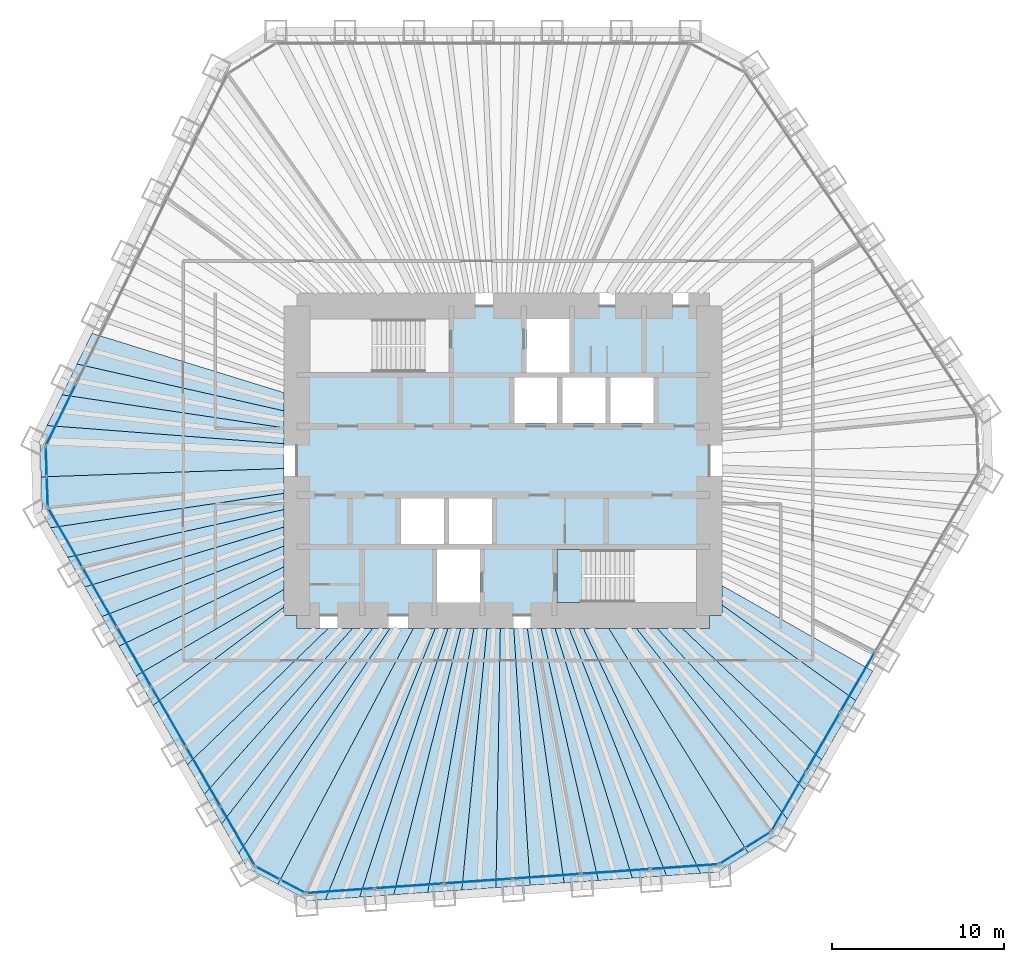
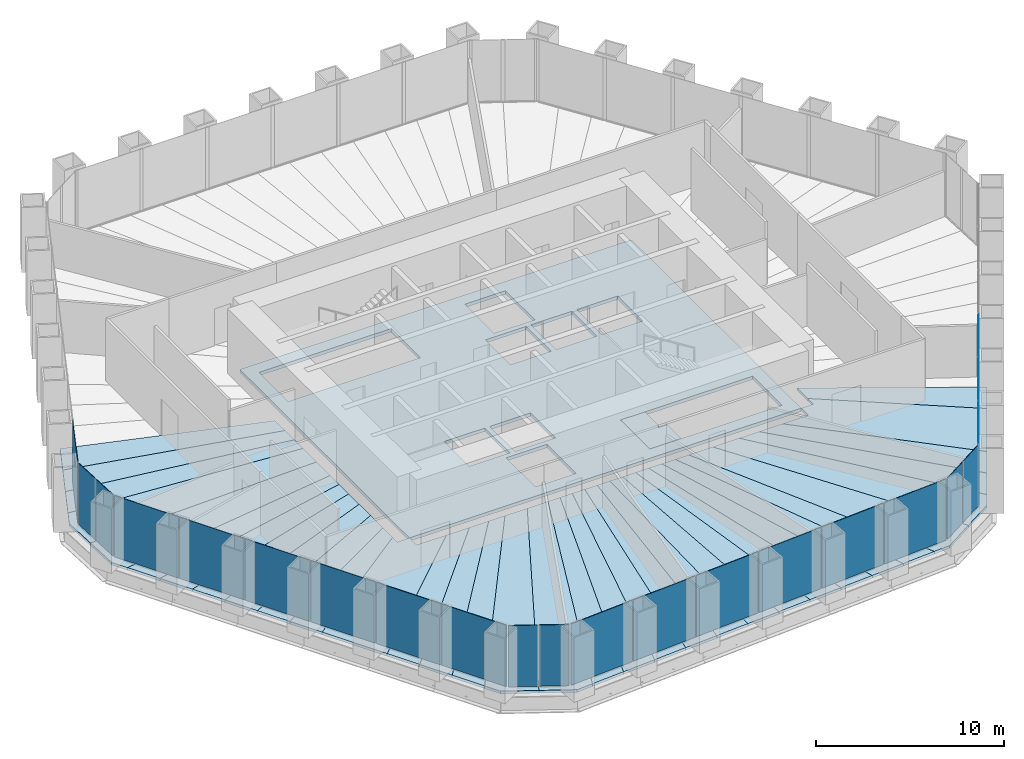
# One storey, part 8 of 13: 36 slabs, 22 plates, 8 elements without a shape of their own.
"""IFC4 building model written with IfcOpenShell, lengths in metres."""

from ifc_helpers import new_model, si_unit, direction, frame, origin, origin_2d, place, context, subcontext, project, spatial, polyline, rectangle, outline, extrude, material, layer, layer_set, type_object, element, aggregate, save


model = new_model("IFC4")

# Units and contexts
model_context = context("Model", 3, precision=1e-05, world=origin(), true_north=direction((0.0, 1.0)))
body_context = subcontext(model_context, "Body", "Model", "MODEL_VIEW")
ifc_project = project(units=[si_unit("LENGTHUNIT", "METRE"), si_unit("AREAUNIT", "SQUARE_METRE"), si_unit("VOLUMEUNIT", "CUBIC_METRE"), si_unit("PLANEANGLEUNIT", "RADIAN"), si_unit("MASSUNIT", "GRAM", prefix="KILO")], contexts=[model_context])

# Site, building, storey
site_placement = place(None, origin())
site = spatial("IfcSite", under=ifc_project, at=site_placement, CompositionType="ELEMENT")
building_placement = place(site_placement, origin())
building = spatial("IfcBuilding", under=site, at=building_placement, Name="Qingtian Harvest Tower", CompositionType="ELEMENT")
storey_placement = place(building_placement, frame((0.0, 0.0, 119.800048828125)))
storey = spatial("IfcBuildingStorey", under=building, at=storey_placement, Name="L24", CompositionType="ELEMENT", Elevation=119.800048828125)

# Slabs
ifc_material_1 = material(Name="Concrete fc' 35 MPa", Category="concrete")
ifc_layer_1 = layer(ifc_material_1, 0.169921875)
ifc_layer_set_1 = layer_set([ifc_layer_1], Name="Composite floor slab FS17 170")
slab_type_1 = type_object("IfcSlabType", Name="Composite floor slab FS17 170", PredefinedType="FLOOR", material=ifc_layer_set_1)
slab_1_placement = place(storey_placement, frame((0.0, 0.0, -0.170166015625)))
element("IfcSlab", 1, at=slab_1_placement, inside=storey, type_object=slab_type_1, Name="Floor slab L24 panel D01", PredefinedType="FLOOR", context=body_context, shape_type="SweptSolid", body=[
    extrude(outline(polyline([(-26.8935546875, -0.939208984375), (-12.75, -0.447998046875), (-12.75, -1.89599609375), (-26.333984375, -3.8984375), (-26.819580078125, -3.056884765625), (-26.8935546875, -0.939208984375)])), origin(), (0.0, 0.0, 1.0), 0.170166015625),
])
slab_2_placement = place(storey_placement, frame((0.0, 0.0, -0.170166015625)))
element("IfcSlab", 2, at=slab_2_placement, inside=storey, type_object=slab_type_1, Name="Floor slab L24 panel D02", PredefinedType="FLOOR", context=body_context, shape_type="SweptSolid", body=[
    extrude(outline(polyline([(-12.75, -2.838134765625), (-25.3388671875, -5.62158203125), (-26.333984375, -3.8984375), (-12.75, -1.89599609375), (-12.75, -2.838134765625)])), origin(), (0.0, 0.0, 1.0), 0.170166015625),
])
slab_3_placement = place(storey_placement, frame((0.0, 0.0, -0.170166015625)))
element("IfcSlab", 3, at=slab_3_placement, inside=storey, type_object=slab_type_1, Name="Floor slab L24 panel D03", PredefinedType="FLOOR", context=body_context, shape_type="SweptSolid", body=[
    extrude(outline(polyline([(-12.75, -3.857666015625), (-24.343994140625, -7.344970703125), (-25.3388671875, -5.62158203125), (-12.75, -2.838134765625), (-12.75, -3.857666015625)])), origin(), (0.0, 0.0, 1.0), 0.170166015625),
])
slab_4_placement = place(storey_placement, frame((0.0, 0.0, -0.170166015625)))
element("IfcSlab", 4, at=slab_4_placement, inside=storey, type_object=slab_type_1, Name="Floor slab L24 panel D04", PredefinedType="FLOOR", context=body_context, shape_type="SweptSolid", body=[
    extrude(outline(polyline([(-12.75, -4.9638671875), (-23.34912109375, -9.068115234375), (-24.343994140625, -7.344970703125), (-12.75, -3.857666015625), (-12.75, -4.9638671875)])), origin(), (0.0, 0.0, 1.0), 0.170166015625),
])
slab_5_placement = place(storey_placement, frame((0.0, 0.0, -0.170166015625)))
element("IfcSlab", 5, at=slab_5_placement, inside=storey, type_object=slab_type_1, Name="Floor slab L24 panel D05", PredefinedType="FLOOR", context=body_context, shape_type="SweptSolid", body=[
    extrude(outline(polyline([(-12.75, -6.1689453125), (-22.354248046875, -10.79150390625), (-23.34912109375, -9.068115234375), (-12.75, -4.9638671875), (-12.75, -6.1689453125)])), origin(), (0.0, 0.0, 1.0), 0.170166015625),
])
slab_6_placement = place(storey_placement, frame((0.0, 0.0, -0.170166015625)))
element("IfcSlab", 6, at=slab_6_placement, inside=storey, type_object=slab_type_1, Name="Floor slab L24 panel D06", PredefinedType="FLOOR", context=body_context, shape_type="SweptSolid", body=[
    extrude(outline(polyline([(-12.75, -7.486328125), (-21.359130859375, -12.5146484375), (-22.354248046875, -10.79150390625), (-12.75, -6.1689453125), (-12.75, -7.486328125)])), origin(), (0.0, 0.0, 1.0), 0.170166015625),
])
slab_7_placement = place(storey_placement, frame((0.0, 0.0, -0.170166015625)))
element("IfcSlab", 7, at=slab_7_placement, inside=storey, type_object=slab_type_1, Name="Floor slab L24 panel D07", PredefinedType="FLOOR", context=body_context, shape_type="SweptSolid", body=[
    extrude(outline(polyline([(-12.75, -8.512451171875), (-20.36865234375, -14.23046875), (-21.359130859375, -12.5146484375), (-12.75, -7.486328125), (-12.75, -8.512451171875)])), origin(), (0.0, 0.0, 1.0), 0.170166015625),
])
slab_8_placement = place(storey_placement, frame((0.0, 0.0, -0.170166015625)))
element("IfcSlab", 8, at=slab_8_placement, inside=storey, type_object=slab_type_1, Name="Floor slab L24 panel D09", PredefinedType="FLOOR", context=body_context, shape_type="SweptSolid", body=[
    extrude(outline(polyline([(-18.375, -17.683837890625), (-20.36865234375, -14.23046875), (-12.75, -8.512451171875), (-12.75, -9.0), (-12.0, -9.0), (-12.0, -9.75), (-10.168212890625, -9.75), (-18.375, -17.683837890625)])), origin(), (0.0, 0.0, 1.0), 0.170166015625),
])
slab_9_placement = place(storey_placement, frame((0.0, 0.0, -0.170166015625)))
element("IfcSlab", 9, at=slab_9_placement, inside=storey, type_object=slab_type_1, Name="Floor slab L24 panel D10", PredefinedType="FLOOR", context=body_context, shape_type="SweptSolid", body=[
    extrude(outline(polyline([(-8.759521484375, -9.75), (-17.3798828125, -19.4072265625), (-18.375, -17.683837890625), (-10.168212890625, -9.75), (-8.759521484375, -9.75)])), origin(), (0.0, 0.0, 1.0), 0.170166015625),
])
slab_10_placement = place(storey_placement, frame((0.0, 0.0, -0.170166015625)))
element("IfcSlab", 10, at=slab_10_placement, inside=storey, type_object=slab_type_1, Name="Floor slab L24 panel D11", PredefinedType="FLOOR", context=body_context, shape_type="SweptSolid", body=[
    extrude(outline(polyline([(-7.58203125, -9.75), (-16.385009765625, -21.13037109375), (-17.3798828125, -19.4072265625), (-8.759521484375, -9.75), (-7.58203125, -9.75)])), origin(), (0.0, 0.0, 1.0), 0.170166015625),
])
slab_11_placement = place(storey_placement, frame((0.0, 0.0, -0.170166015625)))
element("IfcSlab", 11, at=slab_11_placement, inside=storey, type_object=slab_type_1, Name="Floor slab L24 panel D12", PredefinedType="FLOOR", context=body_context, shape_type="SweptSolid", body=[
    extrude(outline(polyline([(-6.5830078125, -9.75), (-15.389892578125, -22.853759765625), (-16.385009765625, -21.13037109375), (-7.58203125, -9.75), (-6.5830078125, -9.75)])), origin(), (0.0, 0.0, 1.0), 0.170166015625),
])
slab_12_placement = place(storey_placement, frame((0.0, 0.0, -0.170166015625)))
element("IfcSlab", 12, at=slab_12_placement, inside=storey, type_object=slab_type_1, Name="Floor slab L24 panel D13", PredefinedType="FLOOR", context=body_context, shape_type="SweptSolid", body=[
    extrude(outline(polyline([(-6.5830078125, -9.75), (-5.21875, -9.75), (-13.107421875, -24.650634765625), (-14.904052734375, -23.6953125), (-15.389892578125, -22.853759765625), (-6.5830078125, -9.75)])), origin(), (0.0, 0.0, 1.0), 0.170166015625),
])
slab_13_placement = place(storey_placement, frame((0.0, 0.0, -0.170166015625)))
element("IfcSlab", 13, at=slab_13_placement, inside=storey, type_object=slab_type_1, Name="Floor slab L24 panel D14", PredefinedType="FLOOR", context=body_context, shape_type="SweptSolid", body=[
    extrude(outline(polyline([(-5.21875, -9.75), (-3.947021484375, -9.75), (-10.3408203125, -25.53857421875), (-11.31005859375, -25.606201171875), (-13.107421875, -24.650634765625), (-5.21875, -9.75)])), origin(), (0.0, 0.0, 1.0), 0.170166015625),
])
slab_14_placement = place(storey_placement, frame((0.0, 0.0, -0.170166015625)))
element("IfcSlab", 14, at=slab_14_placement, inside=storey, type_object=slab_type_1, Name="Floor slab L24 panel D15", PredefinedType="FLOOR", context=body_context, shape_type="SweptSolid", body=[
    extrude(outline(polyline([(-3.20654296875, -9.75), (-8.35595703125, -25.399658203125), (-10.3408203125, -25.53857421875), (-3.947021484375, -9.75), (-3.20654296875, -9.75)])), origin(), (0.0, 0.0, 1.0), 0.170166015625),
])
slab_15_placement = place(storey_placement, frame((0.0, 0.0, -0.170166015625)))
element("IfcSlab", 15, at=slab_15_placement, inside=storey, type_object=slab_type_1, Name="Floor slab L24 panel D16", PredefinedType="FLOOR", context=body_context, shape_type="SweptSolid", body=[
    extrude(outline(polyline([(-2.4580078125, -9.75), (-6.370849609375, -25.260986328125), (-8.35595703125, -25.399658203125), (-3.20654296875, -9.75), (-2.4580078125, -9.75)])), origin(), (0.0, 0.0, 1.0), 0.170166015625),
])
slab_16_placement = place(storey_placement, frame((0.0, 0.0, -0.170166015625)))
element("IfcSlab", 16, at=slab_16_placement, inside=storey, type_object=slab_type_1, Name="Floor slab L24 panel D17", PredefinedType="FLOOR", context=body_context, shape_type="SweptSolid", body=[
    extrude(outline(polyline([(-1.701171875, -9.75), (-4.385986328125, -25.1220703125), (-6.370849609375, -25.260986328125), (-2.4580078125, -9.75), (-1.701171875, -9.75)])), origin(), (0.0, 0.0, 1.0), 0.170166015625),
])
slab_17_placement = place(storey_placement, frame((0.0, 0.0, -0.170166015625)))
element("IfcSlab", 17, at=slab_17_placement, inside=storey, type_object=slab_type_1, Name="Floor slab L24 panel D18", PredefinedType="FLOOR", context=body_context, shape_type="SweptSolid", body=[
    extrude(outline(polyline([(-0.93603515625, -9.75), (-2.40087890625, -24.9833984375), (-4.385986328125, -25.1220703125), (-1.701171875, -9.75), (-0.93603515625, -9.75)])), origin(), (0.0, 0.0, 1.0), 0.170166015625),
])
slab_18_placement = place(storey_placement, frame((0.0, 0.0, -0.170166015625)))
element("IfcSlab", 18, at=slab_18_placement, inside=storey, type_object=slab_type_1, Name="Floor slab L24 panel D19", PredefinedType="FLOOR", context=body_context, shape_type="SweptSolid", body=[
    extrude(outline(polyline([(-0.162109375, -9.75), (-0.416015625, -24.844482421875), (-2.40087890625, -24.9833984375), (-0.93603515625, -9.75), (-0.162109375, -9.75)])), origin(), (0.0, 0.0, 1.0), 0.170166015625),
])
slab_19_placement = place(storey_placement, frame((0.0, 0.0, -0.170166015625)))
element("IfcSlab", 19, at=slab_19_placement, inside=storey, type_object=slab_type_1, Name="Floor slab L24 panel D20", PredefinedType="FLOOR", context=body_context, shape_type="SweptSolid", body=[
    extrude(outline(polyline([(0.620361328125, -9.75), (1.569091796875, -24.705810546875), (-0.416015625, -24.844482421875), (-0.162109375, -9.75), (0.620361328125, -9.75)])), origin(), (0.0, 0.0, 1.0), 0.170166015625),
])
slab_20_placement = place(storey_placement, frame((0.0, 0.0, -0.170166015625)))
element("IfcSlab", 20, at=slab_20_placement, inside=storey, type_object=slab_type_1, Name="Floor slab L24 panel D21", PredefinedType="FLOOR", context=body_context, shape_type="SweptSolid", body=[
    extrude(outline(polyline([(1.41162109375, -9.75), (3.553955078125, -24.56689453125), (1.569091796875, -24.705810546875), (0.620361328125, -9.75), (1.41162109375, -9.75)])), origin(), (0.0, 0.0, 1.0), 0.170166015625),
])
slab_21_placement = place(storey_placement, frame((0.0, 0.0, -0.170166015625)))
element("IfcSlab", 21, at=slab_21_placement, inside=storey, type_object=slab_type_1, Name="Floor slab L24 panel D22", PredefinedType="FLOOR", context=body_context, shape_type="SweptSolid", body=[
    extrude(outline(polyline([(2.2119140625, -9.75), (5.5390625, -24.42822265625), (3.553955078125, -24.56689453125), (1.41162109375, -9.75), (2.2119140625, -9.75)])), origin(), (0.0, 0.0, 1.0), 0.170166015625),
])
slab_22_placement = place(storey_placement, frame((0.0, 0.0, -0.170166015625)))
element("IfcSlab", 22, at=slab_22_placement, inside=storey, type_object=slab_type_1, Name="Floor slab L24 panel D23", PredefinedType="FLOOR", context=body_context, shape_type="SweptSolid", body=[
    extrude(outline(polyline([(3.021484375, -9.75), (7.524169921875, -24.289306640625), (5.5390625, -24.42822265625), (2.2119140625, -9.75), (3.021484375, -9.75)])), origin(), (0.0, 0.0, 1.0), 0.170166015625),
])
slab_23_placement = place(storey_placement, frame((0.0, 0.0, -0.170166015625)))
element("IfcSlab", 23, at=slab_23_placement, inside=storey, type_object=slab_type_1, Name="Floor slab L24 panel D24", PredefinedType="FLOOR", context=body_context, shape_type="SweptSolid", body=[
    extrude(outline(polyline([(3.840087890625, -9.75), (9.509033203125, -24.150390625), (7.524169921875, -24.289306640625), (3.021484375, -9.75), (3.840087890625, -9.75)])), origin(), (0.0, 0.0, 1.0), 0.170166015625),
])
slab_24_placement = place(storey_placement, frame((0.0, 0.0, -0.170166015625)))
element("IfcSlab", 24, at=slab_24_placement, inside=storey, type_object=slab_type_1, Name="Floor slab L24 panel D25", PredefinedType="FLOOR", context=body_context, shape_type="SweptSolid", body=[
    extrude(outline(polyline([(4.66845703125, -9.75), (11.494140625, -24.01171875), (9.509033203125, -24.150390625), (3.840087890625, -9.75), (4.66845703125, -9.75)])), origin(), (0.0, 0.0, 1.0), 0.170166015625),
])
slab_25_placement = place(storey_placement, frame((0.0, 0.0, -0.170166015625)))
element("IfcSlab", 25, at=slab_25_placement, inside=storey, type_object=slab_type_1, Name="Floor slab L24 panel D26", PredefinedType="FLOOR", context=body_context, shape_type="SweptSolid", body=[
    extrude(outline(polyline([(4.66845703125, -9.75), (6.14404296875, -9.75), (14.2607421875, -22.820556640625), (12.463134765625, -23.94384765625), (11.494140625, -24.01171875), (4.66845703125, -9.75)])), origin(), (0.0, 0.0, 1.0), 0.170166015625),
])
slab_26_placement = place(storey_placement, frame((0.0, 0.0, -0.170166015625)))
element("IfcSlab", 26, at=slab_26_placement, inside=storey, type_object=slab_type_1, Name="Floor slab L24 panel D27", PredefinedType="FLOOR", context=body_context, shape_type="SweptSolid", body=[
    extrude(outline(polyline([(6.14404296875, -9.75), (7.756103515625, -9.75), (16.543212890625, -20.8564453125), (16.05712890625, -21.697998046875), (14.2607421875, -22.820556640625), (6.14404296875, -9.75)])), origin(), (0.0, 0.0, 1.0), 0.170166015625),
])
slab_27_placement = place(storey_placement, frame((0.0, 0.0, -0.170166015625)))
element("IfcSlab", 27, at=slab_27_placement, inside=storey, type_object=slab_type_1, Name="Floor slab L24 panel D28", PredefinedType="FLOOR", context=body_context, shape_type="SweptSolid", body=[
    extrude(outline(polyline([(8.966552734375, -9.75), (17.5380859375, -19.133056640625), (16.543212890625, -20.8564453125), (7.756103515625, -9.75), (8.966552734375, -9.75)])), origin(), (0.0, 0.0, 1.0), 0.170166015625),
])
slab_28_placement = place(storey_placement, frame((0.0, 0.0, -0.170166015625)))
element("IfcSlab", 28, at=slab_28_placement, inside=storey, type_object=slab_type_1, Name="Floor slab L24 panel D29", PredefinedType="FLOOR", context=body_context, shape_type="SweptSolid", body=[
    extrude(outline(polyline([(10.41796875, -9.75), (18.532958984375, -17.40966796875), (17.5380859375, -19.133056640625), (8.966552734375, -9.75), (10.41796875, -9.75)])), origin(), (0.0, 0.0, 1.0), 0.170166015625),
])
slab_29_placement = place(storey_placement, frame((0.0, 0.0, -0.170166015625)))
element("IfcSlab", 29, at=slab_29_placement, inside=storey, type_object=slab_type_1, Name="Floor slab L24 panel D31", PredefinedType="FLOOR", context=body_context, shape_type="SweptSolid", body=[
    extrude(outline(polyline([(12.75, -8.398681640625), (20.525390625, -13.958740234375), (18.532958984375, -17.40966796875), (10.41796875, -9.75), (12.0, -9.75), (12.0, -9.0), (12.75, -9.0), (12.75, -8.398681640625)])), origin(), (0.0, 0.0, 1.0), 0.170166015625),
])
slab_30_placement = place(storey_placement, frame((0.0, 0.0, -0.170166015625)))
element("IfcSlab", 30, at=slab_30_placement, inside=storey, type_object=slab_type_1, Name="Floor slab L24 panel D32", PredefinedType="FLOOR", context=body_context, shape_type="SweptSolid", body=[
    extrude(outline(polyline([(12.75, -7.268798828125), (21.517333984375, -12.24072265625), (20.525390625, -13.958740234375), (12.75, -8.398681640625), (12.75, -7.268798828125)])), origin(), (0.0, 0.0, 1.0), 0.170166015625),
])
slab_31_placement = place(storey_placement, frame((0.0, 0.0, -0.170166015625)))
element("IfcSlab", 31, at=slab_31_placement, inside=storey, type_object=slab_type_1, Name="Floor slab L24 panel D75", PredefinedType="FLOOR", context=body_context, shape_type="SweptSolid", body=[
    extrude(outline(polyline([(-12.75, 2.903076171875), (-24.797119140625, 5.62890625), (-23.9248046875, 7.417236328125), (-12.75, 3.962646484375), (-12.75, 2.903076171875)])), origin(), (0.0, 0.0, 1.0), 0.170166015625),
])
slab_32_placement = place(storey_placement, frame((0.0, 0.0, -0.170166015625)))
element("IfcSlab", 32, at=slab_32_placement, inside=storey, type_object=slab_type_1, Name="Floor slab L24 panel D76", PredefinedType="FLOOR", context=body_context, shape_type="SweptSolid", body=[
    extrude(outline(polyline([(-12.75, 1.91552734375), (-25.66943359375, 3.84033203125), (-24.797119140625, 5.62890625), (-12.75, 2.903076171875), (-12.75, 1.91552734375)])), origin(), (0.0, 0.0, 1.0), 0.170166015625),
])
slab_33_placement = place(storey_placement, frame((0.0, 0.0, -0.170166015625)))
element("IfcSlab", 33, at=slab_33_placement, inside=storey, type_object=slab_type_1, Name="Floor slab L24 panel D77", PredefinedType="FLOOR", context=body_context, shape_type="SweptSolid", body=[
    extrude(outline(polyline([(-12.75, 0.992919921875), (-26.541748046875, 2.0517578125), (-25.66943359375, 3.84033203125), (-12.75, 1.91552734375), (-12.75, 0.992919921875)])), origin(), (0.0, 0.0, 1.0), 0.170166015625),
])
slab_34_placement = place(storey_placement, frame((0.0, 0.0, -0.170166015625)))
element("IfcSlab", 34, at=slab_34_placement, inside=storey, type_object=slab_type_1, Name="Floor slab L24 panel D78", PredefinedType="FLOOR", context=body_context, shape_type="SweptSolid", body=[
    extrude(outline(polyline([(-12.75, 0.992919921875), (-12.75, -0.447998046875), (-26.8935546875, -0.939208984375), (-26.967529296875, 1.1787109375), (-26.541748046875, 2.0517578125), (-12.75, 0.992919921875)])), origin(), (0.0, 0.0, 1.0), 0.170166015625),
])
ifc_material_2 = material(Name="Concrete fc' 35 MPa", Category="concrete")
ifc_layer_2 = layer(ifc_material_2, 0.219970703125)
ifc_layer_set_2 = layer_set([ifc_layer_2], Name="Core floor slab CS22 220")
slab_type_2 = type_object("IfcSlabType", Name="Core floor slab CS22 220", PredefinedType="FLOOR", material=ifc_layer_set_2)
slab_35_placement = place(storey_placement, frame((0.0, 0.0, -0.219970703125)))
element("IfcSlab", 35, at=slab_35_placement, inside=storey, type_object=slab_type_2, Name="Core floor slab L24", PredefinedType="FLOOR", context=body_context, shape_type="SweptSolid", body=[
    extrude(outline(polyline([(-12.0, -9.0), (12.0, -9.0), (12.0, 9.0), (-12.0, 9.0), (-12.0, -9.0)]), holes=[polyline([(-11.25, 5.14990234375), (-3.14990234375, 5.14990234375), (-3.14990234375, 8.25), (-11.25, 8.25), (-11.25, 5.14990234375)]), polyline([(3.14990234375, -8.25), (11.25, -8.25), (11.25, -5.14990234375), (3.14990234375, -5.14990234375), (3.14990234375, -8.25)]), polyline([(1.35009765625, 5.14990234375), (3.85009765625, 5.14990234375), (3.85009765625, 8.25), (1.35009765625, 8.25), (1.35009765625, 5.14990234375)]), polyline([(-3.85009765625, -8.25), (-1.35009765625, -8.25), (-1.35009765625, -5.14990234375), (-3.85009765625, -5.14990234375), (-3.85009765625, -8.25)]), polyline([(0.64990234375, 2.199951171875), (3.14990234375, 2.199951171875), (3.14990234375, 4.85009765625), (0.64990234375, 4.85009765625), (0.64990234375, 2.199951171875)]), polyline([(3.449951171875, 2.199951171875), (5.949951171875, 2.199951171875), (5.949951171875, 4.85009765625), (3.449951171875, 4.85009765625), (3.449951171875, 2.199951171875)]), polyline([(6.25, 2.199951171875), (8.75, 2.199951171875), (8.75, 4.85009765625), (6.25, 4.85009765625), (6.25, 2.199951171875)]), polyline([(-5.949951171875, -4.85009765625), (-3.449951171875, -4.85009765625), (-3.449951171875, -2.199951171875), (-5.949951171875, -2.199951171875), (-5.949951171875, -4.85009765625)]), polyline([(-3.14990234375, -4.85009765625), (-0.64990234375, -4.85009765625), (-0.64990234375, -2.199951171875), (-3.14990234375, -2.199951171875), (-3.14990234375, -4.85009765625)])]), origin(), (0.0, 0.0, 1.0), 0.219970703125),
])

# Curtain wall, plates
ifc_material_3 = material(Name="Bronze-anodised aluminium curtain wall", Category="aluminium")
curtain_wall_type = type_object("IfcCurtainWallType", Name="Curtain wall CW4 office", PredefinedType="USERDEFINED", material=ifc_material_3)
curtain_wall_1_placement = place(storey_placement, origin())
curtain_wall_1 = element("IfcCurtainWall", 36, at=curtain_wall_1_placement, inside=storey, type_object=curtain_wall_type, Name="Curtain wall CW4 L24 SE0-5", ObjectType="RECESSED CURTAIN WALL", PredefinedType="USERDEFINED")
ifc_material_4 = material(Name="Bronze-tinted laminated insulating glass", Category="glass")
ifc_layer_3 = layer(ifc_material_4, 0.030029296875)
ifc_layer_set_3 = layer_set([ifc_layer_3], Name="Glazed panel CWP tinted IGU")
plate_type = type_object("IfcPlateType", Name="Glazed panel CWP tinted IGU", PredefinedType="CURTAIN_PANEL", material=ifc_layer_set_3)
plate_1_placement = place(storey_placement, frame((20.621826171875, -12.8818359375, 0.06494140625), z_axis=(0.0, 0.0, 1.0), x_axis=(-0.5, -0.866025403784, 0.0)))
plate_1 = element("IfcPlate", 37, at=plate_1_placement, type_object=plate_type, Name="CW4 panel 4.1", PredefinedType="CURTAIN_PANEL", context=body_context, shape_type="SweptSolid", body=[
    extrude(rectangle(XDim=3.9541015625, YDim=0.030029296875, at=origin_2d()), origin(), (0.0, 0.0, 1.0), 3.965087890625),
])
plate_2_placement = place(storey_placement, frame((18.6123046875, -16.362548828125, 0.06494140625), z_axis=(0.0, 0.0, 1.0), x_axis=(-0.5, -0.866025403784, 0.0)))
plate_2 = element("IfcPlate", 38, at=plate_2_placement, type_object=plate_type, Name="CW4 panel 5.1", PredefinedType="CURTAIN_PANEL", context=body_context, shape_type="SweptSolid", body=[
    extrude(rectangle(XDim=3.9541015625, YDim=0.030029296875, at=origin_2d()), origin(), (0.0, 0.0, 1.0), 3.965087890625),
])
plate_3_placement = place(storey_placement, frame((16.61083984375, -19.8291015625, 0.06494140625), z_axis=(0.0, 0.0, 1.0), x_axis=(-0.5, -0.866025403784, 0.0)))
plate_3 = element("IfcPlate", 39, at=plate_3_placement, type_object=plate_type, Name="CW4 panel 6.1", PredefinedType="CURTAIN_PANEL", context=body_context, shape_type="SweptSolid", body=[
    extrude(rectangle(XDim=3.921630859375, YDim=0.030029296875, at=origin_2d()), origin(), (0.0, 0.0, 1.0), 3.965087890625),
])
aggregate(curtain_wall_1, [plate_1, plate_2, plate_3])

curtain_wall_2_placement = place(storey_placement, origin())
curtain_wall_2 = element("IfcCurtainWall", 40, at=curtain_wall_2_placement, inside=storey, type_object=curtain_wall_type, Name="Curtain wall CW4 L24 SEC", ObjectType="RECESSED CURTAIN WALL", PredefinedType="USERDEFINED")
plate_4_placement = place(storey_placement, frame((14.8251953125, -22.06640625, 0.06494140625), z_axis=(0.0, 0.0, 1.0), x_axis=(-0.848048096156, -0.529919264233, 0.0)))
plate_4 = element("IfcPlate", 41, at=plate_4_placement, type_object=plate_type, Name="CW4 panel 1.1", PredefinedType="CURTAIN_PANEL", context=body_context, shape_type="SweptSolid", body=[
    extrude(rectangle(XDim=1.69287109375, YDim=0.030029296875, at=origin_2d()), origin(), (0.0, 0.0, 1.0), 3.965087890625),
])
plate_5_placement = place(storey_placement, frame((13.334228515625, -22.998046875, 0.06494140625), z_axis=(0.0, 0.0, 1.0), x_axis=(-0.848048096156, -0.529919264233, 0.0)))
plate_5 = element("IfcPlate", 42, at=plate_5_placement, type_object=plate_type, Name="CW4 panel 2.1", PredefinedType="CURTAIN_PANEL", context=body_context, shape_type="SweptSolid", body=[
    extrude(rectangle(XDim=1.69287109375, YDim=0.030029296875, at=origin_2d()), origin(), (0.0, 0.0, 1.0), 3.965087890625),
])
aggregate(curtain_wall_2, [plate_4, plate_5])

curtain_wall_3_placement = place(storey_placement, origin())
curtain_wall_3 = element("IfcCurtainWall", 43, at=curtain_wall_3_placement, inside=storey, type_object=curtain_wall_type, Name="Curtain wall CW4 L24 S0-5", ObjectType="RECESSED CURTAIN WALL", PredefinedType="USERDEFINED")
plate_6_placement = place(storey_placement, frame((10.54052734375, -23.622314453125, 0.06494140625), z_axis=(0.0, 0.0, 1.0), x_axis=(-0.99756405026, -0.069756473744, 0.0)))
plate_6 = element("IfcPlate", 44, at=plate_6_placement, type_object=plate_type, Name="CW4 panel 1.1", PredefinedType="CURTAIN_PANEL", context=body_context, shape_type="SweptSolid", body=[
    extrude(rectangle(XDim=3.921630859375, YDim=0.030029296875, at=origin_2d()), origin(), (0.0, 0.0, 1.0), 3.965087890625),
])
plate_7_placement = place(storey_placement, frame((6.54736328125, -23.901611328125, 0.06494140625), z_axis=(0.0, 0.0, 1.0), x_axis=(-0.99756405026, -0.069756473744, 0.0)))
plate_7 = element("IfcPlate", 45, at=plate_7_placement, type_object=plate_type, Name="CW4 panel 2.1", PredefinedType="CURTAIN_PANEL", context=body_context, shape_type="SweptSolid", body=[
    extrude(rectangle(XDim=3.9541015625, YDim=0.030029296875, at=origin_2d()), origin(), (0.0, 0.0, 1.0), 3.965087890625),
])
plate_8_placement = place(storey_placement, frame((2.5380859375, -24.181884765625, 0.06494140625), z_axis=(0.0, 0.0, 1.0), x_axis=(-0.99756405026, -0.069756473744, 0.0)))
plate_8 = element("IfcPlate", 46, at=plate_8_placement, type_object=plate_type, Name="CW4 panel 3.1", PredefinedType="CURTAIN_PANEL", context=body_context, shape_type="SweptSolid", body=[
    extrude(rectangle(XDim=3.9541015625, YDim=0.030029296875, at=origin_2d()), origin(), (0.0, 0.0, 1.0), 3.965087890625),
])
plate_9_placement = place(storey_placement, frame((-1.47119140625, -24.462158203125, 0.06494140625), z_axis=(0.0, 0.0, 1.0), x_axis=(-0.99756405026, -0.069756473744, 0.0)))
plate_9 = element("IfcPlate", 47, at=plate_9_placement, type_object=plate_type, Name="CW4 panel 4.1", PredefinedType="CURTAIN_PANEL", context=body_context, shape_type="SweptSolid", body=[
    extrude(rectangle(XDim=3.9541015625, YDim=0.030029296875, at=origin_2d()), origin(), (0.0, 0.0, 1.0), 3.965087890625),
])
plate_10_placement = place(storey_placement, frame((-5.48046875, -24.74267578125, 0.06494140625), z_axis=(0.0, 0.0, 1.0), x_axis=(-0.99756405026, -0.069756473744, 0.0)))
plate_10 = element("IfcPlate", 48, at=plate_10_placement, type_object=plate_type, Name="CW4 panel 5.1", PredefinedType="CURTAIN_PANEL", context=body_context, shape_type="SweptSolid", body=[
    extrude(rectangle(XDim=3.9541015625, YDim=0.030029296875, at=origin_2d()), origin(), (0.0, 0.0, 1.0), 3.965087890625),
])
plate_11_placement = place(storey_placement, frame((-9.4736328125, -25.021728515625, 0.06494140625), z_axis=(0.0, 0.0, 1.0), x_axis=(-0.99756405026, -0.069756473744, 0.0)))
plate_11 = element("IfcPlate", 49, at=plate_11_placement, type_object=plate_type, Name="CW4 panel 6.1", PredefinedType="CURTAIN_PANEL", context=body_context, shape_type="SweptSolid", body=[
    extrude(rectangle(XDim=3.921630859375, YDim=0.030029296875, at=origin_2d()), origin(), (0.0, 0.0, 1.0), 3.965087890625),
])
aggregate(curtain_wall_3, [plate_6, plate_7, plate_8, plate_9, plate_10, plate_11])

curtain_wall_4_placement = place(storey_placement, origin())
curtain_wall_4 = element("IfcCurtainWall", 50, at=curtain_wall_4_placement, inside=storey, type_object=curtain_wall_type, Name="Curtain wall CW4 L24 SC", ObjectType="RECESSED CURTAIN WALL", PredefinedType="USERDEFINED")
plate_12_placement = place(storey_placement, frame((-12.24365234375, -24.764892578125, 0.06494140625), z_axis=(0.0, 0.0, 1.0), x_axis=(-0.882947592859, 0.469471562786, 0.0)))
plate_12 = element("IfcPlate", 51, at=plate_12_placement, type_object=plate_type, Name="CW4 panel 1.1", PredefinedType="CURTAIN_PANEL", context=body_context, shape_type="SweptSolid", body=[
    extrude(rectangle(XDim=1.56689453125, YDim=0.030029296875, at=origin_2d()), origin(), (0.0, 0.0, 1.0), 3.965087890625),
])
plate_13_placement = place(storey_placement, frame((-13.684326171875, -23.998779296875, 0.06494140625), z_axis=(0.0, 0.0, 1.0), x_axis=(-0.882947592859, 0.469471562786, 0.0)))
plate_13 = element("IfcPlate", 52, at=plate_13_placement, type_object=plate_type, Name="CW4 panel 2.1", PredefinedType="CURTAIN_PANEL", context=body_context, shape_type="SweptSolid", body=[
    extrude(rectangle(XDim=1.56689453125, YDim=0.030029296875, at=origin_2d()), origin(), (0.0, 0.0, 1.0), 3.965087890625),
])
aggregate(curtain_wall_4, [plate_12, plate_13])

curtain_wall_5_placement = place(storey_placement, origin())
curtain_wall_5 = element("IfcCurtainWall", 53, at=curtain_wall_5_placement, inside=storey, type_object=curtain_wall_type, Name="Curtain wall CW4 L24 SW0-5", ObjectType="RECESSED CURTAIN WALL", PredefinedType="USERDEFINED")
plate_14_placement = place(storey_placement, frame((-15.446533203125, -21.845947265625, 0.06494140625), z_axis=(0.0, 0.0, 1.0), x_axis=(-0.5, 0.866025403784, 0.0)))
plate_14 = element("IfcPlate", 54, at=plate_14_placement, type_object=plate_type, Name="CW4 panel 1.1", PredefinedType="CURTAIN_PANEL", context=body_context, shape_type="SweptSolid", body=[
    extrude(rectangle(XDim=3.921630859375, YDim=0.030029296875, at=origin_2d()), origin(), (0.0, 0.0, 1.0), 3.965087890625),
])
plate_15_placement = place(storey_placement, frame((-17.44775390625, -18.37939453125, 0.06494140625), z_axis=(0.0, 0.0, 1.0), x_axis=(-0.5, 0.866025403784, 0.0)))
plate_15 = element("IfcPlate", 55, at=plate_15_placement, type_object=plate_type, Name="CW4 panel 2.1", PredefinedType="CURTAIN_PANEL", context=body_context, shape_type="SweptSolid", body=[
    extrude(rectangle(XDim=3.9541015625, YDim=0.030029296875, at=origin_2d()), origin(), (0.0, 0.0, 1.0), 3.965087890625),
])
plate_16_placement = place(storey_placement, frame((-19.45751953125, -14.898681640625, 0.06494140625), z_axis=(0.0, 0.0, 1.0), x_axis=(-0.5, 0.866025403784, 0.0)))
plate_16 = element("IfcPlate", 56, at=plate_16_placement, type_object=plate_type, Name="CW4 panel 3.1", PredefinedType="CURTAIN_PANEL", context=body_context, shape_type="SweptSolid", body=[
    extrude(rectangle(XDim=3.9541015625, YDim=0.030029296875, at=origin_2d()), origin(), (0.0, 0.0, 1.0), 3.965087890625),
])
plate_17_placement = place(storey_placement, frame((-21.467041015625, -11.418212890625, 0.06494140625), z_axis=(0.0, 0.0, 1.0), x_axis=(-0.5, 0.866025403784, 0.0)))
plate_17 = element("IfcPlate", 57, at=plate_17_placement, type_object=plate_type, Name="CW4 panel 4.1", PredefinedType="CURTAIN_PANEL", context=body_context, shape_type="SweptSolid", body=[
    extrude(rectangle(XDim=3.9541015625, YDim=0.030029296875, at=origin_2d()), origin(), (0.0, 0.0, 1.0), 3.965087890625),
])
plate_18_placement = place(storey_placement, frame((-23.4765625, -7.9375, 0.06494140625), z_axis=(0.0, 0.0, 1.0), x_axis=(-0.5, 0.866025403784, 0.0)))
plate_18 = element("IfcPlate", 58, at=plate_18_placement, type_object=plate_type, Name="CW4 panel 5.1", PredefinedType="CURTAIN_PANEL", context=body_context, shape_type="SweptSolid", body=[
    extrude(rectangle(XDim=3.9541015625, YDim=0.030029296875, at=origin_2d()), origin(), (0.0, 0.0, 1.0), 3.965087890625),
])
plate_19_placement = place(storey_placement, frame((-25.477783203125, -4.470947265625, 0.06494140625), z_axis=(0.0, 0.0, 1.0), x_axis=(-0.5, 0.866025403784, 0.0)))
plate_19 = element("IfcPlate", 59, at=plate_19_placement, type_object=plate_type, Name="CW4 panel 6.1", PredefinedType="CURTAIN_PANEL", context=body_context, shape_type="SweptSolid", body=[
    extrude(rectangle(XDim=3.921630859375, YDim=0.030029296875, at=origin_2d()), origin(), (0.0, 0.0, 1.0), 3.965087890625),
])
aggregate(curtain_wall_5, [plate_14, plate_15, plate_16, plate_17, plate_18, plate_19])

curtain_wall_6_placement = place(storey_placement, origin())
curtain_wall_6 = element("IfcCurtainWall", 60, at=curtain_wall_6_placement, inside=storey, type_object=curtain_wall_type, Name="Curtain wall CW4 L24 SWC", ObjectType="RECESSED CURTAIN WALL", PredefinedType="USERDEFINED")
plate_20_placement = place(storey_placement, frame((-26.522705078125, -1.8056640625, 0.06494140625), z_axis=(0.0, 0.0, 1.0), x_axis=(-0.034899496703, 0.999390827019, 0.0)))
plate_20 = element("IfcPlate", 61, at=plate_20_placement, type_object=plate_type, Name="CW4 panel 1.1", PredefinedType="CURTAIN_PANEL", context=body_context, shape_type="SweptSolid", body=[
    extrude(rectangle(XDim=1.69287109375, YDim=0.030029296875, at=origin_2d()), origin(), (0.0, 0.0, 1.0), 3.965087890625),
])
plate_21_placement = place(storey_placement, frame((-26.583984375, -0.048828125, 0.06494140625), z_axis=(0.0, 0.0, 1.0), x_axis=(-0.034899496703, 0.999390827019, 0.0)))
plate_21 = element("IfcPlate", 62, at=plate_21_placement, type_object=plate_type, Name="CW4 panel 2.1", PredefinedType="CURTAIN_PANEL", context=body_context, shape_type="SweptSolid", body=[
    extrude(rectangle(XDim=1.69287109375, YDim=0.030029296875, at=origin_2d()), origin(), (0.0, 0.0, 1.0), 3.965087890625),
])
aggregate(curtain_wall_6, [plate_20, plate_21])

# Curtain wall, plate
curtain_wall_7_placement = place(storey_placement, origin())
curtain_wall_7 = element("IfcCurtainWall", 63, at=curtain_wall_7_placement, inside=storey, type_object=curtain_wall_type, Name="Curtain wall CW4 L24 NW0-5", ObjectType="RECESSED CURTAIN WALL", PredefinedType="USERDEFINED")
plate_22_placement = place(storey_placement, frame((-25.727783203125, 2.682861328125, 0.06494140625), z_axis=(0.0, 0.0, 1.0), x_axis=(0.438371146789, 0.898794046299, 0.0)))
plate_22 = element("IfcPlate", 64, at=plate_22_placement, type_object=plate_type, Name="CW4 panel 1.1", PredefinedType="CURTAIN_PANEL", context=body_context, shape_type="SweptSolid", body=[
    extrude(rectangle(XDim=3.921630859375, YDim=0.030029296875, at=origin_2d()), origin(), (0.0, 0.0, 1.0), 3.965087890625),
])
aggregate(curtain_wall_7, [plate_22])

# Stair, slab
ifc_material_5 = material(Name="Concrete fc' 35 MPa", Category="concrete")
stair_type = type_object("IfcStairType", Name="Special stair ST3 4200", PredefinedType="HALF_TURN_STAIR", material=ifc_material_5)
stair_placement = place(storey_placement, origin())
stair = element("IfcStair", 65, at=stair_placement, inside=storey, type_object=stair_type, Name="Special stair S2 L24", PredefinedType="HALF_TURN_STAIR")
ifc_material_6 = material(Name="Concrete fc' 35 MPa", Category="concrete")
ifc_layer_4 = layer(ifc_material_6, 0.199951171875)
ifc_layer_set_4 = layer_set([ifc_layer_4], Name="Stair landing SL2 200")
slab_type_3 = type_object("IfcSlabType", Name="Stair landing SL2 200", PredefinedType="LANDING", material=ifc_layer_set_4)
slab_36_placement = place(storey_placement, frame((0.0, 0.0, -0.199951171875)))
slab_36 = element("IfcSlab", 66, at=slab_36_placement, type_object=slab_type_3, Name="S2 landing 1", PredefinedType="LANDING", context=body_context, shape_type="SweptSolid", body=[
    extrude(outline(polyline([(5.0849609375, -8.25), (3.14990234375, -8.25), (3.14990234375, -5.14990234375), (4.64990234375, -5.14990234375), (4.64990234375, -6.64990234375), (4.550048828125, -6.64990234375), (4.550048828125, -6.75), (5.0849609375, -6.75), (5.0849609375, -8.25)])), origin(), (0.0, 0.0, 1.0), 0.199951171875),
])
aggregate(stair, [slab_36])

save(model, "model.ifc")
